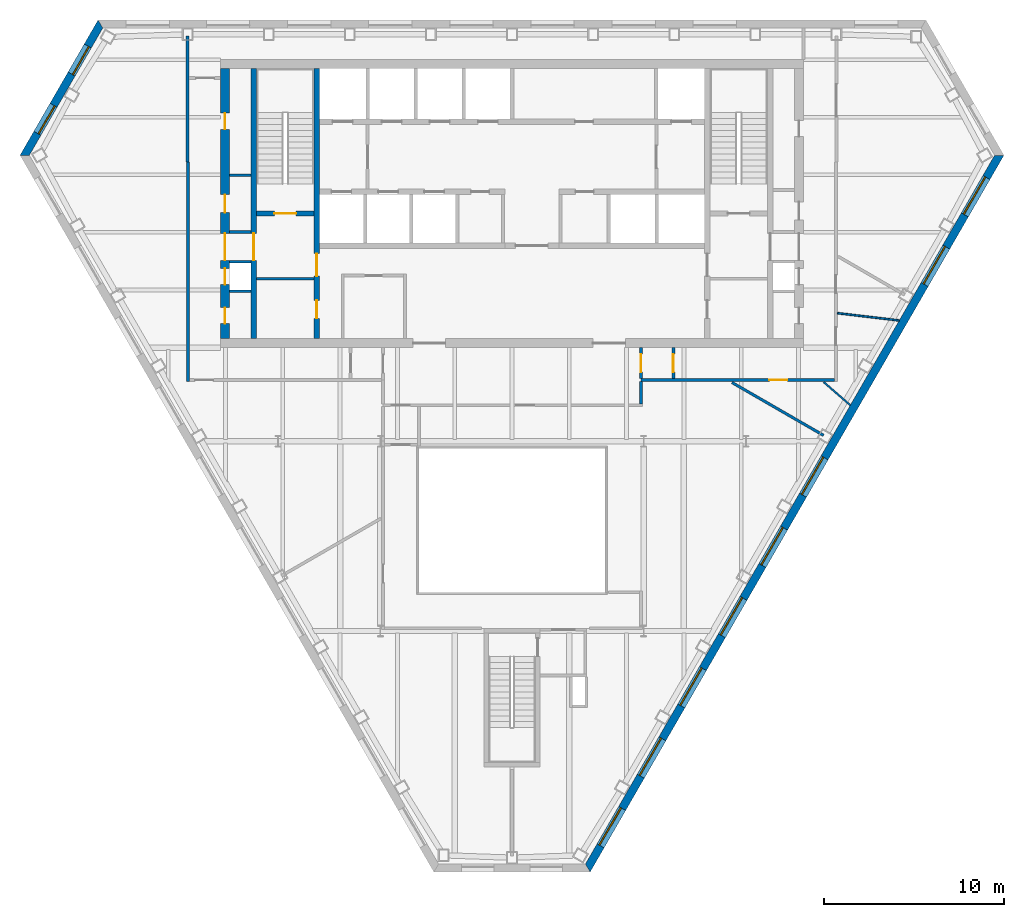
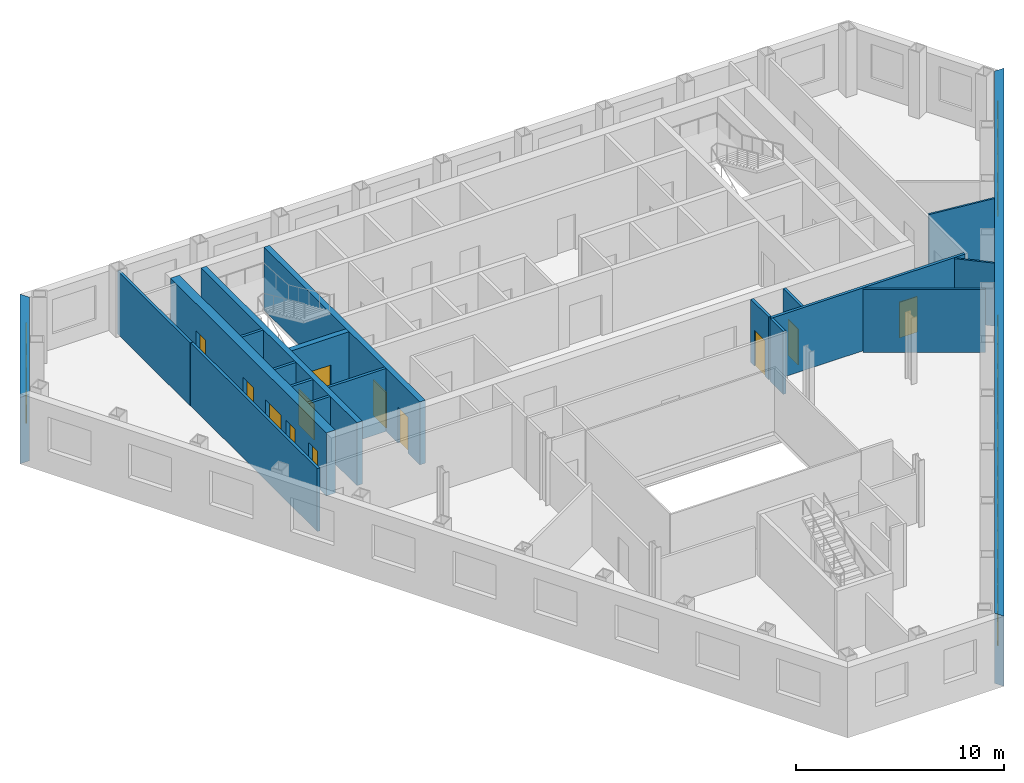
# One storey, part 5 of 10: 20 walls, 12 doors, 10 windows, 22 openings.
"""IFC4 building model written with IfcOpenShell, lengths in metres."""

from ifc_helpers import new_model, si_unit, direction, frame, frame_2d, origin, place, context, subcontext, project, spatial, polyline, rectangle, outline, extrude, material, layer, layer_set, type_object, element, fill, save


model = new_model("IFC4")

# Units and contexts
model_context = context("Model", 3, precision=1e-05, world=origin(), true_north=direction((0.0, 1.0)))
body_context = subcontext(model_context, "Body", "Model", "MODEL_VIEW")
ifc_project = project(units=[si_unit("LENGTHUNIT", "METRE"), si_unit("AREAUNIT", "SQUARE_METRE"), si_unit("VOLUMEUNIT", "CUBIC_METRE"), si_unit("PLANEANGLEUNIT", "RADIAN"), si_unit("MASSUNIT", "GRAM", prefix="KILO")], contexts=[model_context])

# Site, building, storey
site_placement = place(None, origin())
site = spatial("IfcSite", under=ifc_project, at=site_placement, CompositionType="ELEMENT")
building_placement = place(site_placement, origin())
building = spatial("IfcBuilding", under=site, at=building_placement, Name="Njiva Tower", CompositionType="ELEMENT")
storey_placement = place(building_placement, frame((0.0, 0.0, 159.3)))
storey = spatial("IfcBuildingStorey", under=building, at=storey_placement, Name="L34", CompositionType="ELEMENT", Elevation=159.3)

# Walls
ifc_material_1 = material(Name="Blockwork", Category="masonry")
ifc_layer_1 = layer(ifc_material_1, 0.15)
ifc_layer_set_1 = layer_set([ifc_layer_1], Name="Blockwork")
wall_type_1 = type_object("IfcWallType", Name="WT1 Compartment partition 150", PredefinedType="PARTITIONING", material=ifc_layer_set_1)
wall_1_placement = place(storey_placement, frame((-14.2, 5.825, 0.0), z_axis=(0.0, 0.0, 1.0), x_axis=(1.0, 0.0, 0.0)))
element("IfcWall", 1, at=wall_1_placement, inside=storey, type_object=wall_type_1, Name="Room wall A", PredefinedType="PARTITIONING", context=body_context, shape_type="SweptSolid", body=[
    extrude(rectangle(XDim=3.2, YDim=0.15, at=frame_2d((1.6, 0.0))), origin(), (0.0, 0.0, 1.0), 3.7),
])
wall_2_placement = place(storey_placement, frame((-15.7, 11.5687, 0.0), z_axis=(0.0, 0.0, 1.0), x_axis=(1.0, 0.0, 0.0)))
element("IfcWall", 2, at=wall_2_placement, inside=storey, type_object=wall_type_1, Name="Partition strip W10", PredefinedType="PARTITIONING", context=body_context, shape_type="SweptSolid", body=[
    extrude(rectangle(XDim=1.2, YDim=0.15, at=frame_2d((0.6, 0.0))), origin(), (0.0, 0.0, 1.0), 3.7),
])

# Wall, openings, doors
ifc_material_2 = material(Name="Concrete C40/50", Category="concrete")
ifc_layer_2 = layer(ifc_material_2, 0.3)
ifc_layer_set_2 = layer_set([ifc_layer_2], Name="Concrete C40/50")
wall_type_2 = type_object("IfcWallType", Name="WT10 Stair enclosure wall 300", PredefinedType="SHEAR", material=ifc_layer_set_2)
wall_3_placement = place(storey_placement, frame((-10.85, 2.5, 0.0), z_axis=(0.0, 0.0, 1.0), x_axis=(0.0, 1.0, 0.0)))
wall_3 = element("IfcWall", 3, at=wall_3_placement, inside=storey, type_object=wall_type_2, Name="Stair wall west inner", PredefinedType="SHEAR", context=body_context, shape_type="SweptSolid", body=[
    extrude(rectangle(XDim=15.0, YDim=0.3, at=frame_2d((7.5, 0.0))), origin(), (0.0, 0.0, 1.0), 3.7),
])
opening_1_placement = place(wall_3_placement, frame((3.475, 0.0, 0.0)))
opening_1 = element("IfcOpeningElement", 4, at=opening_1_placement, cuts=wall_3, Name="Opening S11-D914", PredefinedType="OPENING", context=body_context, shape_type="SweptSolid", body=[
    extrude(rectangle(XDim=1.25, YDim=2.1, at=frame_2d((0.625, 1.05))), frame((0.0, 0.16, 0.0), z_axis=(0.0, -1.0, 0.0), x_axis=(1.0, 0.0, 0.0)), (0.0, 0.0, 1.0), 0.32),
])
opening_2_placement = place(wall_3_placement, frame((1.125, 0.0, 0.0)))
opening_2 = element("IfcOpeningElement", 5, at=opening_2_placement, cuts=wall_3, Name="Opening S11-D915", PredefinedType="OPENING", context=body_context, shape_type="SweptSolid", body=[
    extrude(rectangle(XDim=1.0, YDim=2.1, at=frame_2d((0.5, 1.05))), frame((0.0, 0.16, 0.0), z_axis=(0.0, -1.0, 0.0), x_axis=(1.0, 0.0, 0.0)), (0.0, 0.0, 1.0), 0.32),
])
ifc_material_3 = material(Name="Steel door, painted", Category="steel")
door_type_1 = type_object("IfcDoorType", Name="D5 Steel door 1000x2100", OperationType="SINGLE_SWING_LEFT", PredefinedType="DOOR", material=ifc_material_3)
door_1_placement = place(opening_2_placement, origin())
door_1 = element("IfcDoor", 6, at=door_1_placement, inside=storey, type_object=door_type_1, Name="Breakout room door", OperationType="SINGLE_SWING_RIGHT", OverallHeight=2.1, OverallWidth=1.0, PredefinedType="DOOR", context=body_context, shape_type="SweptSolid", body=[
    extrude(rectangle(XDim=1.0, YDim=2.1, at=frame_2d((0.5, 1.05))), frame((0.0, 0.025, 0.0), z_axis=(0.0, -1.0, 0.0), x_axis=(1.0, 0.0, 0.0)), (0.0, 0.0, 1.0), 0.05),
])
fill(opening_2, door_1)
ifc_material_4 = material(Name="Glazed steel fire door", Category="steel")
door_type_2 = type_object("IfcDoorType", Name="D8 Vestibule corridor door 1250x2100 glazed", OperationType="SINGLE_SWING_LEFT", PredefinedType="DOOR", material=ifc_material_4)
door_2_placement = place(opening_1_placement, origin())
door_2 = element("IfcDoor", 7, at=door_2_placement, inside=storey, type_object=door_type_2, Name="Stair vestibule corridor door", OperationType="SINGLE_SWING_LEFT", OverallHeight=2.1, OverallWidth=1.25, PredefinedType="DOOR", context=body_context, shape_type="SweptSolid", body=[
    extrude(rectangle(XDim=1.25, YDim=2.1, at=frame_2d((0.625, 1.05))), frame((0.0, 0.025, 0.0), z_axis=(0.0, -1.0, 0.0), x_axis=(1.0, 0.0, 0.0)), (0.0, 0.0, 1.0), 0.05),
])
fill(opening_1, door_2)

# Wall, opening, door
wall_4_placement = place(storey_placement, frame((-14.35, 2.5, 0.0), z_axis=(0.0, 0.0, 1.0), x_axis=(0.0, 1.0, 0.0)))
wall_4 = element("IfcWall", 8, at=wall_4_placement, inside=storey, type_object=wall_type_2, Name="Stair wall west outer", PredefinedType="SHEAR", context=body_context, shape_type="SweptSolid", body=[
    extrude(rectangle(XDim=15.0, YDim=0.3, at=frame_2d((7.5, 0.0))), origin(), (0.0, 0.0, 1.0), 3.7),
])
opening_3_placement = place(wall_4_placement, frame((4.35, 0.0, 0.0)))
opening_3 = element("IfcOpeningElement", 9, at=opening_3_placement, cuts=wall_4, Name="Opening S11-D920", PredefinedType="OPENING", context=body_context, shape_type="SweptSolid", body=[
    extrude(rectangle(XDim=1.5, YDim=2.1, at=frame_2d((0.75, 1.05))), frame((0.0, 0.16, 0.0), z_axis=(0.0, -1.0, 0.0), x_axis=(1.0, 0.0, 0.0)), (0.0, 0.0, 1.0), 0.32),
])
door_type_3 = type_object("IfcDoorType", Name="D10 Exit door double 1500x2100 glazed", OperationType="DOUBLE_DOOR_SINGLE_SWING", PredefinedType="DOOR", material=ifc_material_4)
door_3_placement = place(opening_3_placement, origin())
door_3 = element("IfcDoor", 10, at=door_3_placement, inside=storey, type_object=door_type_3, Name="Stair A passage door", OperationType="DOUBLE_DOOR_SINGLE_SWING", OverallHeight=2.1, OverallWidth=1.5, PredefinedType="DOOR", context=body_context, shape_type="SweptSolid", body=[
    extrude(rectangle(XDim=1.5, YDim=2.1, at=frame_2d((0.75, 1.05))), frame((0.0, 0.025, 0.0), z_axis=(0.0, -1.0, 0.0), x_axis=(1.0, 0.0, 0.0)), (0.0, 0.0, 1.0), 0.05),
])
fill(opening_3, door_3)

wall_5_placement = place(storey_placement, frame((-14.2, 9.45, 0.0), z_axis=(0.0, 0.0, 1.0), x_axis=(1.0, 0.0, 0.0)))
wall_5 = element("IfcWall", 11, at=wall_5_placement, inside=storey, type_object=wall_type_2, Name="Stair A south wall", PredefinedType="SHEAR", context=body_context, shape_type="SweptSolid", body=[
    extrude(rectangle(XDim=3.2, YDim=0.3, at=frame_2d((1.6, 0.0))), origin(), (0.0, 0.0, 1.0), 3.7),
])
opening_4_placement = place(wall_5_placement, frame((1.0, 0.0, 0.0)))
opening_4 = element("IfcOpeningElement", 12, at=opening_4_placement, cuts=wall_5, Name="Opening S11-D913", PredefinedType="OPENING", context=body_context, shape_type="SweptSolid", body=[
    extrude(rectangle(XDim=1.2, YDim=2.1, at=frame_2d((0.6, 1.05))), frame((0.0, 0.16, 0.0), z_axis=(0.0, -1.0, 0.0), x_axis=(1.0, 0.0, 0.0)), (0.0, 0.0, 1.0), 0.32),
])
door_type_4 = type_object("IfcDoorType", Name="D7 Stair vestibule door 1200x2100 glazed", OperationType="SINGLE_SWING_LEFT", PredefinedType="DOOR", material=ifc_material_4)
door_4_placement = place(opening_4_placement, origin())
door_4 = element("IfcDoor", 13, at=door_4_placement, inside=storey, type_object=door_type_4, Name="Stair A door", OperationType="SINGLE_SWING_LEFT", OverallHeight=2.1, OverallWidth=1.2, PredefinedType="DOOR", context=body_context, shape_type="SweptSolid", body=[
    extrude(rectangle(XDim=1.2, YDim=2.1, at=frame_2d((0.6, 1.05))), frame((0.0, 0.025, 0.0), z_axis=(0.0, -1.0, 0.0), x_axis=(1.0, 0.0, 0.0)), (0.0, 0.0, 1.0), 0.05),
])
fill(opening_4, door_4)

# Wall, openings, doors
ifc_material_5 = material(Name="Concrete C60/75", Category="concrete")
ifc_layer_3 = layer(ifc_material_5, 0.5)
ifc_layer_set_3 = layer_set([ifc_layer_3], Name="Concrete C60/75")
wall_type_3 = type_object("IfcWallType", Name="WT13 Core wall 500", PredefinedType="SHEAR", material=ifc_layer_set_3)
wall_6_placement = place(storey_placement, frame((-15.95, 2.5, 0.0), z_axis=(0.0, 0.0, 1.0), x_axis=(0.0, 1.0, 0.0)))
wall_6 = element("IfcWall", 14, at=wall_6_placement, inside=storey, type_object=wall_type_3, Name="Core wall west", PredefinedType="SHEAR", context=body_context, shape_type="SweptSolid", body=[
    extrude(rectangle(XDim=15.0, YDim=0.5, at=frame_2d((7.5, 0.0))), origin(), (0.0, 0.0, 1.0), 3.7),
])
opening_5_placement = place(wall_6_placement, frame((4.35, 0.0, 0.0)))
opening_5 = element("IfcOpeningElement", 15, at=opening_5_placement, cuts=wall_6, Name="Opening S11-D921", PredefinedType="OPENING", context=body_context, shape_type="SweptSolid", body=[
    extrude(rectangle(XDim=1.5, YDim=2.1, at=frame_2d((0.75, 1.05))), frame((0.0, 0.26, 0.0), z_axis=(0.0, -1.0, 0.0), x_axis=(1.0, 0.0, 0.0)), (0.0, 0.0, 1.0), 0.52),
])
opening_6_placement = place(wall_6_placement, frame((0.825, 0.0, 0.0)))
opening_6 = element("IfcOpeningElement", 16, at=opening_6_placement, cuts=wall_6, Name="Opening S11-D922", PredefinedType="OPENING", context=body_context, shape_type="SweptSolid", body=[
    extrude(rectangle(XDim=0.9, YDim=2.1, at=frame_2d((0.45, 1.05))), frame((0.0, 0.26, 0.0), z_axis=(0.0, -1.0, 0.0), x_axis=(1.0, 0.0, 0.0)), (0.0, 0.0, 1.0), 0.52),
])
opening_7_placement = place(wall_6_placement, frame((3.0, 0.0, 0.0)))
opening_7 = element("IfcOpeningElement", 17, at=opening_7_placement, cuts=wall_6, Name="Opening S11-D923", PredefinedType="OPENING", context=body_context, shape_type="SweptSolid", body=[
    extrude(rectangle(XDim=0.9, YDim=2.1, at=frame_2d((0.45, 1.05))), frame((0.0, 0.26, 0.0), z_axis=(0.0, -1.0, 0.0), x_axis=(1.0, 0.0, 0.0)), (0.0, 0.0, 1.0), 0.52),
])
opening_8_placement = place(wall_6_placement, frame((6.9969, 0.0, 0.0)))
opening_8 = element("IfcOpeningElement", 18, at=opening_8_placement, cuts=wall_6, Name="Opening S11-D924", PredefinedType="OPENING", context=body_context, shape_type="SweptSolid", body=[
    extrude(rectangle(XDim=1.0, YDim=2.1, at=frame_2d((0.5, 1.05))), frame((0.0, 0.26, 0.0), z_axis=(0.0, -1.0, 0.0), x_axis=(1.0, 0.0, 0.0)), (0.0, 0.0, 1.0), 0.52),
])
opening_9_placement = place(wall_6_placement, frame((11.6219, 0.0, 0.0)))
opening_9 = element("IfcOpeningElement", 19, at=opening_9_placement, cuts=wall_6, Name="Opening S11-D925", PredefinedType="OPENING", context=body_context, shape_type="SweptSolid", body=[
    extrude(rectangle(XDim=0.9, YDim=2.1, at=frame_2d((0.45, 1.05))), frame((0.0, 0.26, 0.0), z_axis=(0.0, -1.0, 0.0), x_axis=(1.0, 0.0, 0.0)), (0.0, 0.0, 1.0), 0.52),
])
door_5_placement = place(opening_5_placement, origin())
door_5 = element("IfcDoor", 20, at=door_5_placement, inside=storey, type_object=door_type_3, Name="Stair A corridor door", OperationType="DOUBLE_DOOR_SINGLE_SWING", OverallHeight=2.1, OverallWidth=1.5, PredefinedType="DOOR", context=body_context, shape_type="SweptSolid", body=[
    extrude(rectangle(XDim=1.5, YDim=2.1, at=frame_2d((0.75, 1.05))), frame((0.0, 0.025, 0.0), z_axis=(0.0, -1.0, 0.0), x_axis=(1.0, 0.0, 0.0)), (0.0, 0.0, 1.0), 0.05),
])
fill(opening_5, door_5)
door_type_5 = type_object("IfcDoorType", Name="D4 Riser door 900x2100", OperationType="SINGLE_SWING_LEFT", PredefinedType="DOOR", material=ifc_material_3)
door_6_placement = place(opening_7_placement, origin())
door_6 = element("IfcDoor", 21, at=door_6_placement, inside=storey, type_object=door_type_5, Name="Cable riser door", OperationType="SINGLE_SWING_RIGHT", OverallHeight=2.1, OverallWidth=0.9, PredefinedType="DOOR", context=body_context, shape_type="SweptSolid", body=[
    extrude(rectangle(XDim=0.9, YDim=2.1, at=frame_2d((0.45, 1.05))), frame((0.0, 0.025, 0.0), z_axis=(0.0, -1.0, 0.0), x_axis=(1.0, 0.0, 0.0)), (0.0, 0.0, 1.0), 0.05),
])
fill(opening_7, door_6)
door_7_placement = place(opening_8_placement, origin())
door_7 = element("IfcDoor", 22, at=door_7_placement, inside=storey, type_object=door_type_1, Name="Electrical room door", OperationType="SINGLE_SWING_RIGHT", OverallHeight=2.1, OverallWidth=1.0, PredefinedType="DOOR", context=body_context, shape_type="SweptSolid", body=[
    extrude(rectangle(XDim=1.0, YDim=2.1, at=frame_2d((0.5, 1.05))), frame((0.0, 0.025, 0.0), z_axis=(0.0, -1.0, 0.0), x_axis=(1.0, 0.0, 0.0)), (0.0, 0.0, 1.0), 0.05),
])
fill(opening_8, door_7)
ifc_material_6 = material(Name="Steel fire door, painted", Category="steel")
door_type_6 = type_object("IfcDoorType", Name="D6 Fire-rated door 900x2100", OperationType="SINGLE_SWING_LEFT", PredefinedType="DOOR", material=ifc_material_6)
door_8_placement = place(opening_6_placement, origin())
door_8 = element("IfcDoor", 23, at=door_8_placement, inside=storey, type_object=door_type_6, Name="Cable store door", OperationType="SINGLE_SWING_RIGHT", OverallHeight=2.1, OverallWidth=0.9, PredefinedType="DOOR", context=body_context, shape_type="SweptSolid", body=[
    extrude(rectangle(XDim=0.9, YDim=2.1, at=frame_2d((0.45, 1.05))), frame((0.0, 0.025, 0.0), z_axis=(0.0, -1.0, 0.0), x_axis=(1.0, 0.0, 0.0)), (0.0, 0.0, 1.0), 0.05),
])
fill(opening_6, door_8)
door_9_placement = place(opening_9_placement, origin())
door_9 = element("IfcDoor", 24, at=door_9_placement, inside=storey, type_object=door_type_6, Name="Cable store door", OperationType="SINGLE_SWING_LEFT", OverallHeight=2.1, OverallWidth=0.9, PredefinedType="DOOR", context=body_context, shape_type="SweptSolid", body=[
    extrude(rectangle(XDim=0.9, YDim=2.1, at=frame_2d((0.45, 1.05))), frame((0.0, 0.025, 0.0), z_axis=(0.0, -1.0, 0.0), x_axis=(1.0, 0.0, 0.0)), (0.0, 0.0, 1.0), 0.05),
])
fill(opening_9, door_9)

# Walls
ifc_material_7 = material(Name="Gypsum board on steel studs", Category="gypsum")
ifc_layer_4 = layer(ifc_material_7, 0.1)
ifc_layer_set_4 = layer_set([ifc_layer_4], Name="Gypsum board on steel studs")
wall_type_4 = type_object("IfcWallType", Name="WT20 Gypsum partition 100", PredefinedType="PARTITIONING", material=ifc_layer_set_4)
wall_7_placement = place(storey_placement, frame((17.315, 0.087, 0.0), z_axis=(0.0, 0.0, 1.0), x_axis=(0.754244081951, -0.656594140121, 0.0)))
element("IfcWall", 25, at=wall_7_placement, inside=storey, type_object=wall_type_4, Name="Partition S11-P024", PredefinedType="PARTITIONING", context=body_context, shape_type="SweptSolid", body=[
    extrude(rectangle(XDim=1.9662, YDim=0.1, at=frame_2d((0.9831, 0.0))), origin(), (0.0, 0.0, 1.0), 3.7),
])
wall_8_placement = place(storey_placement, frame((18.081, 3.913, 0.0), z_axis=(0.0, 0.0, 1.0), x_axis=(0.993015725956, -0.11798206645, 0.0)))
element("IfcWall", 26, at=wall_8_placement, inside=storey, type_object=wall_type_4, Name="Partition S11-P027", PredefinedType="PARTITIONING", context=body_context, shape_type="SweptSolid", body=[
    extrude(rectangle(XDim=3.4582, YDim=0.1, at=frame_2d((1.7291, 0.0))), origin(), (0.0, 0.0, 1.0), 3.7),
])
ifc_layer_5 = layer(ifc_material_7, 0.15)
ifc_layer_set_5 = layer_set([ifc_layer_5], Name="Gypsum board on steel studs")
wall_type_5 = type_object("IfcWallType", Name="WT21 Compartment wall 150", PredefinedType="PARTITIONING", material=ifc_layer_set_5)
wall_9_placement = place(storey_placement, frame((-18.027, 12.321, 0.0), z_axis=(0.0, 0.0, 1.0), x_axis=(0.0, 1.0, 0.0)))
element("IfcWall", 27, at=wall_9_placement, inside=storey, type_object=wall_type_5, Name="Partition S11-P001", PredefinedType="PARTITIONING", context=body_context, shape_type="SweptSolid", body=[
    extrude(rectangle(XDim=6.979, YDim=0.15, at=frame_2d((3.4895, 0.0))), origin(), (0.0, 0.0, 1.0), 3.7),
])
wall_10_placement = place(storey_placement, frame((-18.0, 0.125, 0.0), z_axis=(0.0, 0.0, 1.0), x_axis=(0.0, 1.0, 0.0)))
element("IfcWall", 28, at=wall_10_placement, inside=storey, type_object=wall_type_5, Name="Partition S11-P002", PredefinedType="PARTITIONING", context=body_context, shape_type="SweptSolid", body=[
    extrude(rectangle(XDim=12.18, YDim=0.15, at=frame_2d((6.09, 0.0))), origin(), (0.0, 0.0, 1.0), 3.7),
])
wall_11_placement = place(storey_placement, frame((7.17, -1.125, 0.0), z_axis=(0.0, 0.0, 1.0), x_axis=(0.0, 1.0, 0.0)))
element("IfcWall", 29, at=wall_11_placement, inside=storey, type_object=wall_type_5, Name="Partition S11-P018", PredefinedType="PARTITIONING", context=body_context, shape_type="SweptSolid", body=[
    extrude(rectangle(XDim=1.25, YDim=0.15, at=frame_2d((0.625, 0.0))), origin(), (0.0, 0.0, 1.0), 3.7),
])

# Wall, opening, door
wall_12_placement = place(storey_placement, frame((7.17, 0.2, 0.0), z_axis=(0.0, 0.0, 1.0), x_axis=(1.0, 0.0, 0.0)))
wall_12 = element("IfcWall", 30, at=wall_12_placement, inside=storey, type_object=wall_type_5, Name="Partition S11-P019", PredefinedType="PARTITIONING", context=body_context, shape_type="SweptSolid", body=[
    extrude(rectangle(XDim=10.755, YDim=0.15, at=frame_2d((5.3775, 0.0))), origin(), (0.0, 0.0, 1.0), 3.7),
])
opening_10_placement = place(wall_12_placement, frame((7.134, 0.0, 0.0)))
opening_10 = element("IfcOpeningElement", 31, at=opening_10_placement, cuts=wall_12, Name="Opening S11-D009", PredefinedType="OPENING", context=body_context, shape_type="SweptSolid", body=[
    extrude(rectangle(XDim=1.0, YDim=2.1, at=frame_2d((0.5, 1.05))), frame((0.0, 0.085, 0.0), z_axis=(0.0, -1.0, 0.0), x_axis=(1.0, 0.0, 0.0)), (0.0, 0.0, 1.0), 0.17),
])
ifc_material_8 = material(Name="Steel fire door set", Category="steel")
door_type_7 = type_object("IfcDoorType", Name="D37 Fire door 1000x2100", OperationType="SINGLE_SWING_LEFT", PredefinedType="DOOR", material=ifc_material_8)
door_10_placement = place(opening_10_placement, origin())
door_10 = element("IfcDoor", 32, at=door_10_placement, inside=storey, type_object=door_type_7, Name="Door S11-D009", OperationType="SINGLE_SWING_RIGHT", OverallHeight=2.1, OverallWidth=1.0, PredefinedType="DOOR", context=body_context, shape_type="SweptSolid", body=[
    extrude(rectangle(XDim=1.0, YDim=2.1, at=frame_2d((0.5, 1.05))), frame((0.0, 0.025, 0.0), z_axis=(0.0, -1.0, 0.0), x_axis=(1.0, 0.0, 0.0)), (0.0, 0.0, 1.0), 0.05),
])
fill(opening_10, door_10)

wall_13_placement = place(storey_placement, frame((7.17, 0.275, 0.0), z_axis=(0.0, 0.0, 1.0), x_axis=(0.0, 1.0, 0.0)))
wall_13 = element("IfcWall", 33, at=wall_13_placement, inside=storey, type_object=wall_type_5, Name="Partition S11-P020", PredefinedType="PARTITIONING", context=body_context, shape_type="SweptSolid", body=[
    extrude(rectangle(XDim=1.725, YDim=0.15, at=frame_2d((0.8625, 0.0))), origin(), (0.0, 0.0, 1.0), 3.7),
])
opening_11_placement = place(wall_13_placement, frame((0.362, 0.0, 0.0)))
opening_11 = element("IfcOpeningElement", 34, at=opening_11_placement, cuts=wall_13, Name="Opening S11-D010", PredefinedType="OPENING", context=body_context, shape_type="SweptSolid", body=[
    extrude(rectangle(XDim=1.0, YDim=2.1, at=frame_2d((0.5, 1.05))), frame((0.0, 0.085, 0.0), z_axis=(0.0, -1.0, 0.0), x_axis=(1.0, 0.0, 0.0)), (0.0, 0.0, 1.0), 0.17),
])
door_11_placement = place(opening_11_placement, origin())
door_11 = element("IfcDoor", 35, at=door_11_placement, inside=storey, type_object=door_type_7, Name="Door S11-D010", OperationType="SINGLE_SWING_LEFT", OverallHeight=2.1, OverallWidth=1.0, PredefinedType="DOOR", context=body_context, shape_type="SweptSolid", body=[
    extrude(rectangle(XDim=1.0, YDim=2.1, at=frame_2d((0.5, 1.05))), frame((0.0, 0.025, 0.0), z_axis=(0.0, -1.0, 0.0), x_axis=(1.0, 0.0, 0.0)), (0.0, 0.0, 1.0), 0.05),
])
fill(opening_11, door_11)

wall_14_placement = place(storey_placement, frame((8.97, 0.275, 0.0), z_axis=(0.0, 0.0, 1.0), x_axis=(0.0, 1.0, 0.0)))
wall_14 = element("IfcWall", 36, at=wall_14_placement, inside=storey, type_object=wall_type_5, Name="Partition S11-P021", PredefinedType="PARTITIONING", context=body_context, shape_type="SweptSolid", body=[
    extrude(rectangle(XDim=1.725, YDim=0.15, at=frame_2d((0.8625, 0.0))), origin(), (0.0, 0.0, 1.0), 3.7),
])
opening_12_placement = place(wall_14_placement, frame((0.363, 0.0, 0.0)))
opening_12 = element("IfcOpeningElement", 37, at=opening_12_placement, cuts=wall_14, Name="Opening S11-D011", PredefinedType="OPENING", context=body_context, shape_type="SweptSolid", body=[
    extrude(rectangle(XDim=1.0, YDim=2.1, at=frame_2d((0.5, 1.05))), frame((0.0, 0.085, 0.0), z_axis=(0.0, -1.0, 0.0), x_axis=(1.0, 0.0, 0.0)), (0.0, 0.0, 1.0), 0.17),
])
door_12_placement = place(opening_12_placement, origin())
door_12 = element("IfcDoor", 38, at=door_12_placement, inside=storey, type_object=door_type_7, Name="Door S11-D011", OperationType="SINGLE_SWING_RIGHT", OverallHeight=2.1, OverallWidth=1.0, PredefinedType="DOOR", context=body_context, shape_type="SweptSolid", body=[
    extrude(rectangle(XDim=1.0, YDim=2.1, at=frame_2d((0.5, 1.05))), frame((0.0, 0.025, 0.0), z_axis=(0.0, -1.0, 0.0), x_axis=(1.0, 0.0, 0.0)), (0.0, 0.0, 1.0), 0.05),
])
fill(opening_12, door_12)

# Walls
wall_15_placement = place(storey_placement, frame((12.222, 0.06, 0.0), z_axis=(0.0, 0.0, 1.0), x_axis=(0.866077922096, -0.499909024581, 0.0)))
element("IfcWall", 39, at=wall_15_placement, inside=storey, type_object=wall_type_5, Name="Partition S11-P022", PredefinedType="PARTITIONING", context=body_context, shape_type="SweptSolid", body=[
    extrude(rectangle(XDim=5.8771, YDim=0.15, at=frame_2d((2.9386, 0.0))), origin(), (0.0, 0.0, 1.0), 3.7),
])
ifc_layer_6 = layer(ifc_material_1, 0.15)
ifc_layer_set_6 = layer_set([ifc_layer_6], Name="Blockwork")
wall_type_6 = type_object("IfcWallType", Name="WT3 Riser partition 150", PredefinedType="PARTITIONING", material=ifc_layer_set_6)
wall_16_placement = place(storey_placement, frame((-15.7, 5.125, 0.0), z_axis=(0.0, 0.0, 1.0), x_axis=(1.0, 0.0, 0.0)))
element("IfcWall", 40, at=wall_16_placement, inside=storey, type_object=wall_type_6, Name="Partition strip W00", PredefinedType="PARTITIONING", context=body_context, shape_type="SweptSolid", body=[
    extrude(rectangle(XDim=1.2, YDim=0.15, at=frame_2d((0.6, 0.0))), origin(), (0.0, 0.0, 1.0), 3.7),
])
ifc_layer_7 = layer(ifc_material_1, 0.15)
ifc_layer_set_7 = layer_set([ifc_layer_7], Name="Blockwork")
wall_type_7 = type_object("IfcWallType", Name="WT4 Stair partition 150", PredefinedType="PARTITIONING", material=ifc_layer_set_7)
for number, where, z_axis, x_axis, name in (
    (41, (-15.7, 6.775, 0.0), (0.0, 0.0, 1.0), (1.0, 0.0, 0.0), "Stair A exit passage wall south"),
    (42, (-15.7, 8.425, 0.0), (0.0, 0.0, 1.0), (1.0, 0.0, 0.0), "Stair A exit passage wall north"),
):
    element("IfcWall", number, at=place(storey_placement, frame(where, z_axis=z_axis, x_axis=x_axis)), inside=storey, type_object=wall_type_7, Name=name, PredefinedType="PARTITIONING", context=body_context, shape_type="SweptSolid", body=[
        extrude(rectangle(XDim=1.2, YDim=0.15, at=frame_2d((0.6, 0.0))), origin(), (0.0, 0.0, 1.0), 3.7),
    ])

# Wall, openings, windows
ifc_material_9 = material(Name="Brick masonry", Category="masonry")
ifc_layer_8 = layer(ifc_material_9, 0.45)
ifc_layer_set_8 = layer_set([ifc_layer_8], Name="Brick masonry")
wall_type_8 = type_object("IfcWallType", Name="WT90 Brick pier and spandrel wall 450", PredefinedType="SOLIDWALL", material=ifc_layer_set_8)
wall_17_placement = place(storey_placement, frame((4.2101, -26.9206, -0.4), z_axis=(0.0, 0.0, 1.0), x_axis=(0.500000141277, 0.866025322218, 0.0)))
wall_17 = element("IfcWall", 43, at=wall_17_placement, inside=storey, type_object=wall_type_8, Name="Facade wall SE", PredefinedType="SOLIDWALL", context=body_context, shape_type="SweptSolid", body=[
    extrude(outline(polyline([(-0.1299, -0.225), (45.8601, -0.225), (45.6003, 0.225), (0.1299, 0.225), (-0.1299, -0.225)])), origin(), (0.0, 0.0, 1.0), 4.12),
])
opening_13_placement = place(wall_17_placement, frame((1.4237, 0.0, 1.3)))
opening_13 = element("IfcOpeningElement", 44, at=opening_13_placement, cuts=wall_17, Name="Opening S11-W24", PredefinedType="OPENING", context=body_context, shape_type="SweptSolid", body=[
    extrude(rectangle(XDim=2.4, YDim=2.0, at=frame_2d((1.2, 1.0))), frame((0.0, 0.235, 0.0), z_axis=(0.0, -1.0, 0.0), x_axis=(1.0, 0.0, 0.0)), (0.0, 0.0, 1.0), 0.47),
])
opening_14_placement = place(wall_17_placement, frame((5.8919, 0.0, 1.3)))
opening_14 = element("IfcOpeningElement", 45, at=opening_14_placement, cuts=wall_17, Name="Opening S11-W25", PredefinedType="OPENING", context=body_context, shape_type="SweptSolid", body=[
    extrude(rectangle(XDim=2.4, YDim=2.0, at=frame_2d((1.2, 1.0))), frame((0.0, 0.235, 0.0), z_axis=(0.0, -1.0, 0.0), x_axis=(1.0, 0.0, 0.0)), (0.0, 0.0, 1.0), 0.47),
])
opening_15_placement = place(wall_17_placement, frame((10.3985, 0.0, 1.3)))
opening_15 = element("IfcOpeningElement", 46, at=opening_15_placement, cuts=wall_17, Name="Opening S11-W26", PredefinedType="OPENING", context=body_context, shape_type="SweptSolid", body=[
    extrude(rectangle(XDim=2.4, YDim=2.0, at=frame_2d((1.2, 1.0))), frame((0.0, 0.235, 0.0), z_axis=(0.0, -1.0, 0.0), x_axis=(1.0, 0.0, 0.0)), (0.0, 0.0, 1.0), 0.47),
])
opening_16_placement = place(wall_17_placement, frame((14.9052, 0.0, 1.3)))
opening_16 = element("IfcOpeningElement", 47, at=opening_16_placement, cuts=wall_17, Name="Opening S11-W27", PredefinedType="OPENING", context=body_context, shape_type="SweptSolid", body=[
    extrude(rectangle(XDim=2.4, YDim=2.0, at=frame_2d((1.2, 1.0))), frame((0.0, 0.235, 0.0), z_axis=(0.0, -1.0, 0.0), x_axis=(1.0, 0.0, 0.0)), (0.0, 0.0, 1.0), 0.47),
])
opening_17_placement = place(wall_17_placement, frame((19.4118, 0.0, 1.3)))
opening_17 = element("IfcOpeningElement", 48, at=opening_17_placement, cuts=wall_17, Name="Opening S11-W28", PredefinedType="OPENING", context=body_context, shape_type="SweptSolid", body=[
    extrude(rectangle(XDim=2.4, YDim=2.0, at=frame_2d((1.2, 1.0))), frame((0.0, 0.235, 0.0), z_axis=(0.0, -1.0, 0.0), x_axis=(1.0, 0.0, 0.0)), (0.0, 0.0, 1.0), 0.47),
])
opening_18_placement = place(wall_17_placement, frame((23.9184, 0.0, 1.3)))
opening_18 = element("IfcOpeningElement", 49, at=opening_18_placement, cuts=wall_17, Name="Opening S11-W29", PredefinedType="OPENING", context=body_context, shape_type="SweptSolid", body=[
    extrude(rectangle(XDim=2.4, YDim=2.0, at=frame_2d((1.2, 1.0))), frame((0.0, 0.235, 0.0), z_axis=(0.0, -1.0, 0.0), x_axis=(1.0, 0.0, 0.0)), (0.0, 0.0, 1.0), 0.47),
])
opening_19_placement = place(wall_17_placement, frame((37.4383, 0.0, 1.3)))
opening_19 = element("IfcOpeningElement", 50, at=opening_19_placement, cuts=wall_17, Name="Opening S11-W30", PredefinedType="OPENING", context=body_context, shape_type="SweptSolid", body=[
    extrude(rectangle(XDim=2.4, YDim=2.0, at=frame_2d((1.2, 1.0))), frame((0.0, 0.235, 0.0), z_axis=(0.0, -1.0, 0.0), x_axis=(1.0, 0.0, 0.0)), (0.0, 0.0, 1.0), 0.47),
])
opening_20_placement = place(wall_17_placement, frame((41.9065, 0.0, 1.3)))
opening_20 = element("IfcOpeningElement", 51, at=opening_20_placement, cuts=wall_17, Name="Opening S11-W31", PredefinedType="OPENING", context=body_context, shape_type="SweptSolid", body=[
    extrude(rectangle(XDim=2.4, YDim=2.0, at=frame_2d((1.2, 1.0))), frame((0.0, 0.235, 0.0), z_axis=(0.0, -1.0, 0.0), x_axis=(1.0, 0.0, 0.0)), (0.0, 0.0, 1.0), 0.47),
])
ifc_material_10 = material(Name="Clear glazing in aluminium frame", Category="aluminium")
window_type_1 = type_object("IfcWindowType", Name="W90 Deep-set window 2400x2000", PartitioningType="SINGLE_PANEL", PredefinedType="WINDOW", material=ifc_material_10)
window_1_placement = place(opening_13_placement, origin())
window_1 = element("IfcWindow", 52, at=window_1_placement, inside=storey, type_object=window_type_1, Name="Window", OverallHeight=2.0, OverallWidth=2.4, PartitioningType="SINGLE_PANEL", PredefinedType="WINDOW", context=body_context, shape_type="SweptSolid", body=[
    extrude(rectangle(XDim=2.4, YDim=2.0, at=frame_2d((1.2, 1.0))), frame((0.0, 0.105, 0.0), z_axis=(0.0, -1.0, 0.0), x_axis=(1.0, 0.0, 0.0)), (0.0, 0.0, 1.0), 0.06),
])
fill(opening_13, window_1)
window_2_placement = place(opening_14_placement, origin())
window_2 = element("IfcWindow", 53, at=window_2_placement, inside=storey, type_object=window_type_1, Name="Window", OverallHeight=2.0, OverallWidth=2.4, PartitioningType="SINGLE_PANEL", PredefinedType="WINDOW", context=body_context, shape_type="SweptSolid", body=[
    extrude(rectangle(XDim=2.4, YDim=2.0, at=frame_2d((1.2, 1.0))), frame((0.0, 0.105, 0.0), z_axis=(0.0, -1.0, 0.0), x_axis=(1.0, 0.0, 0.0)), (0.0, 0.0, 1.0), 0.06),
])
fill(opening_14, window_2)
window_3_placement = place(opening_15_placement, origin())
window_3 = element("IfcWindow", 54, at=window_3_placement, inside=storey, type_object=window_type_1, Name="Window", OverallHeight=2.0, OverallWidth=2.4, PartitioningType="SINGLE_PANEL", PredefinedType="WINDOW", context=body_context, shape_type="SweptSolid", body=[
    extrude(rectangle(XDim=2.4, YDim=2.0, at=frame_2d((1.2, 1.0))), frame((0.0, 0.105, 0.0), z_axis=(0.0, -1.0, 0.0), x_axis=(1.0, 0.0, 0.0)), (0.0, 0.0, 1.0), 0.06),
])
fill(opening_15, window_3)
window_4_placement = place(opening_16_placement, origin())
window_4 = element("IfcWindow", 55, at=window_4_placement, inside=storey, type_object=window_type_1, Name="Window", OverallHeight=2.0, OverallWidth=2.4, PartitioningType="SINGLE_PANEL", PredefinedType="WINDOW", context=body_context, shape_type="SweptSolid", body=[
    extrude(rectangle(XDim=2.4, YDim=2.0, at=frame_2d((1.2, 1.0))), frame((0.0, 0.105, 0.0), z_axis=(0.0, -1.0, 0.0), x_axis=(1.0, 0.0, 0.0)), (0.0, 0.0, 1.0), 0.06),
])
fill(opening_16, window_4)
window_5_placement = place(opening_17_placement, origin())
window_5 = element("IfcWindow", 56, at=window_5_placement, inside=storey, type_object=window_type_1, Name="Window", OverallHeight=2.0, OverallWidth=2.4, PartitioningType="SINGLE_PANEL", PredefinedType="WINDOW", context=body_context, shape_type="SweptSolid", body=[
    extrude(rectangle(XDim=2.4, YDim=2.0, at=frame_2d((1.2, 1.0))), frame((0.0, 0.105, 0.0), z_axis=(0.0, -1.0, 0.0), x_axis=(1.0, 0.0, 0.0)), (0.0, 0.0, 1.0), 0.06),
])
fill(opening_17, window_5)
window_6_placement = place(opening_18_placement, origin())
window_6 = element("IfcWindow", 57, at=window_6_placement, inside=storey, type_object=window_type_1, Name="Window", OverallHeight=2.0, OverallWidth=2.4, PartitioningType="SINGLE_PANEL", PredefinedType="WINDOW", context=body_context, shape_type="SweptSolid", body=[
    extrude(rectangle(XDim=2.4, YDim=2.0, at=frame_2d((1.2, 1.0))), frame((0.0, 0.105, 0.0), z_axis=(0.0, -1.0, 0.0), x_axis=(1.0, 0.0, 0.0)), (0.0, 0.0, 1.0), 0.06),
])
fill(opening_18, window_6)
window_7_placement = place(opening_19_placement, origin())
window_7 = element("IfcWindow", 58, at=window_7_placement, inside=storey, type_object=window_type_1, Name="Window", OverallHeight=2.0, OverallWidth=2.4, PartitioningType="SINGLE_PANEL", PredefinedType="WINDOW", context=body_context, shape_type="SweptSolid", body=[
    extrude(rectangle(XDim=2.4, YDim=2.0, at=frame_2d((1.2, 1.0))), frame((0.0, 0.105, 0.0), z_axis=(0.0, -1.0, 0.0), x_axis=(1.0, 0.0, 0.0)), (0.0, 0.0, 1.0), 0.06),
])
fill(opening_19, window_7)
window_8_placement = place(opening_20_placement, origin())
window_8 = element("IfcWindow", 59, at=window_8_placement, inside=storey, type_object=window_type_1, Name="Window", OverallHeight=2.0, OverallWidth=2.4, PartitioningType="SINGLE_PANEL", PredefinedType="WINDOW", context=body_context, shape_type="SweptSolid", body=[
    extrude(rectangle(XDim=2.4, YDim=2.0, at=frame_2d((1.2, 1.0))), frame((0.0, 0.105, 0.0), z_axis=(0.0, -1.0, 0.0), x_axis=(1.0, 0.0, 0.0)), (0.0, 0.0, 1.0), 0.06),
])
fill(opening_20, window_8)

ifc_material_11 = material(Name="Brick masonry, buff", Category="masonry")
ifc_layer_9 = layer(ifc_material_11, 0.45)
ifc_layer_set_9 = layer_set([ifc_layer_9], Name="Brick masonry, buff")
wall_type_9 = type_object("IfcWallType", Name="WT94 Brick pier and spandrel wall 450, buff", PredefinedType="SOLIDWALL", material=ifc_layer_set_9)
wall_18_placement = place(storey_placement, frame((-22.8688, 19.9772, -0.4), z_axis=(0.0, 0.0, 1.0), x_axis=(-0.500000365375, -0.866025192835, 0.0)))
wall_18 = element("IfcWall", 60, at=wall_18_placement, inside=storey, type_object=wall_type_9, Name="Facade wall NW", PredefinedType="SOLIDWALL", context=body_context, shape_type="SweptSolid", body=[
    extrude(outline(polyline([(-0.1299, -0.225), (8.5501, -0.225), (8.2903, 0.225), (0.1299, 0.225), (-0.1299, -0.225)])), origin(), (0.0, 0.0, 1.0), 3.9),
])
opening_21_placement = place(wall_18_placement, frame((1.4094, 0.0, 1.3)))
opening_21 = element("IfcOpeningElement", 61, at=opening_21_placement, cuts=wall_18, Name="Opening S11-W10", PredefinedType="OPENING", context=body_context, shape_type="SweptSolid", body=[
    extrude(rectangle(XDim=1.8, YDim=2.0, at=frame_2d((0.9, 1.0))), frame((0.0, 0.235, 0.0), z_axis=(0.0, -1.0, 0.0), x_axis=(1.0, 0.0, 0.0)), (0.0, 0.0, 1.0), 0.47),
])
opening_22_placement = place(wall_18_placement, frame((5.2107, 0.0, 1.3)))
opening_22 = element("IfcOpeningElement", 62, at=opening_22_placement, cuts=wall_18, Name="Opening S11-W11", PredefinedType="OPENING", context=body_context, shape_type="SweptSolid", body=[
    extrude(rectangle(XDim=1.8, YDim=2.0, at=frame_2d((0.9, 1.0))), frame((0.0, 0.235, 0.0), z_axis=(0.0, -1.0, 0.0), x_axis=(1.0, 0.0, 0.0)), (0.0, 0.0, 1.0), 0.47),
])
window_type_2 = type_object("IfcWindowType", Name="W94 Deep-set window 1800x2000", PartitioningType="SINGLE_PANEL", PredefinedType="WINDOW", material=ifc_material_10)
window_9_placement = place(opening_21_placement, origin())
window_9 = element("IfcWindow", 63, at=window_9_placement, inside=storey, type_object=window_type_2, Name="Window", OverallHeight=2.0, OverallWidth=1.8, PartitioningType="SINGLE_PANEL", PredefinedType="WINDOW", context=body_context, shape_type="SweptSolid", body=[
    extrude(rectangle(XDim=1.8, YDim=2.0, at=frame_2d((0.9, 1.0))), frame((0.0, 0.105, 0.0), z_axis=(0.0, -1.0, 0.0), x_axis=(1.0, 0.0, 0.0)), (0.0, 0.0, 1.0), 0.06),
])
fill(opening_21, window_9)
window_10_placement = place(opening_22_placement, origin())
window_10 = element("IfcWindow", 64, at=window_10_placement, inside=storey, type_object=window_type_2, Name="Window", OverallHeight=2.0, OverallWidth=1.8, PartitioningType="SINGLE_PANEL", PredefinedType="WINDOW", context=body_context, shape_type="SweptSolid", body=[
    extrude(rectangle(XDim=1.8, YDim=2.0, at=frame_2d((0.9, 1.0))), frame((0.0, 0.105, 0.0), z_axis=(0.0, -1.0, 0.0), x_axis=(1.0, 0.0, 0.0)), (0.0, 0.0, 1.0), 0.06),
])
fill(opening_22, window_10)

save(model, "model.ifc")
